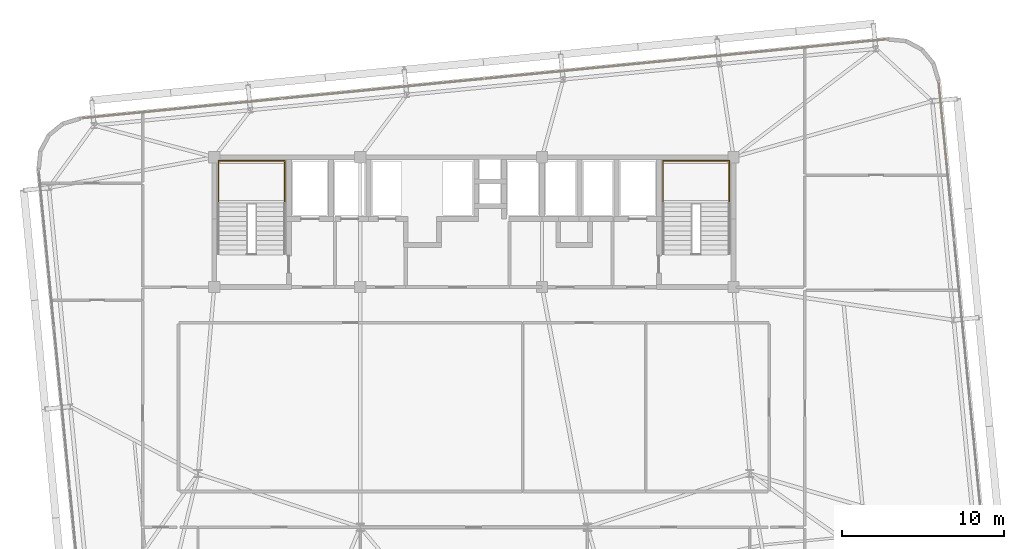
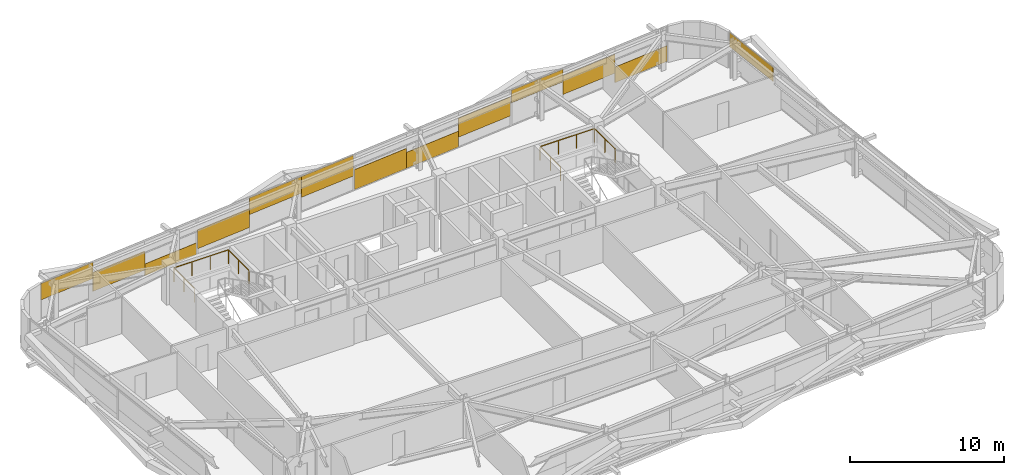
# One storey, part 47 of 47: 13 coverings, 2 railings.
"""IFC4 building model written with IfcOpenShell, lengths in metres."""

from ifc_helpers import new_model, si_unit, direction, frame, origin, origin_2d, place, context, subcontext, project, spatial, rectangle, extrude, source, transform, mapped, material, layer, layer_set, type_object, element, save


model = new_model("IFC4")

# Units and contexts
model_context = context("Model", 3, precision=1e-05, world=origin(), true_north=direction((0.0, 1.0)))
body_context = subcontext(model_context, "Body", "Model", "MODEL_VIEW")
ifc_project = project(units=[si_unit("LENGTHUNIT", "METRE"), si_unit("AREAUNIT", "SQUARE_METRE"), si_unit("VOLUMEUNIT", "CUBIC_METRE"), si_unit("PLANEANGLEUNIT", "RADIAN"), si_unit("MASSUNIT", "GRAM", prefix="KILO")], contexts=[model_context])

# Site, building, storey
site_placement = place(None, origin())
site = spatial("IfcSite", under=ifc_project, at=site_placement, CompositionType="ELEMENT")
building_placement = place(site_placement, origin())
building = spatial("IfcBuilding", under=site, at=building_placement, Name="Taldren Reach Tower", CompositionType="ELEMENT")
storey_placement = place(building_placement, frame((0.0, 0.0, 109.199951171875)))
storey = spatial("IfcBuildingStorey", under=building, at=storey_placement, Name="L33", CompositionType="ELEMENT", Elevation=109.199951171875)

# Railings
ifc_material_1 = material(Name="Steel Gr 350 (C350L0)", Category="steel")
ifc_layer_1 = layer(ifc_material_1, 0.050048828125)
ifc_layer_set_1 = layer_set([ifc_layer_1], Name="Steel Gr 350 (C350L0)")
railing_type = type_object("IfcRailingType", Name="RL-STAIR-GR", PredefinedType="GUARDRAIL", material=ifc_layer_set_1)
for number, where, name in (
    (1, (19.260009765625, 29.135009765625, 1.574951171875), "Stair half-landing perimeter guard ST1-L33"),
    (2, (46.659912109375, 29.135009765625, 1.574951171875), "Stair half-landing perimeter guard ST2-L33"),
):
    element("IfcRailing", number, at=place(storey_placement, frame(where)), inside=storey, type_object=railing_type, Name=name, PredefinedType="GUARDRAIL", context=body_context, shape_type="SweptSolid", body=[
        extrude(rectangle(XDim=0.047852, YDim=0.047852, at=origin_2d()), frame((0.0, 0.0, 1.09619140625), z_axis=(0.0, 1.0, 0.0), x_axis=(-1.0, 0.0, 0.0)), (0.0, 0.0, 1.0), 2.64501953125),
        extrude(rectangle(XDim=0.047852, YDim=0.047852, at=origin_2d()), frame((0.0, 2.64501953125, 1.09619140625), z_axis=(1.0, 0.0, 0.0), x_axis=(0.0, 1.0, 0.0)), (0.0, 0.0, 1.0), 4.080078125),
        extrude(rectangle(XDim=0.047852, YDim=0.047852, at=origin_2d()), frame((4.080078125, 2.64501953125, 1.09619140625), z_axis=(0.0, -1.0, 0.0), x_axis=(1.0, 0.0, 0.0)), (0.0, 0.0, 1.0), 2.64501953125),
        extrude(rectangle(XDim=0.041992, YDim=0.041992, at=origin_2d()), origin(), (0.0, 0.0, 1.0), 1.072021484375),
        extrude(rectangle(XDim=0.041992, YDim=0.041992, at=origin_2d()), frame((0.0, 1.322509765625, 0.0)), (0.0, 0.0, 1.0), 1.072021484375),
        extrude(rectangle(XDim=0.041992, YDim=0.041992, at=origin_2d()), frame((0.0, 2.64501953125, 0.0)), (0.0, 0.0, 1.0), 1.072021484375),
        extrude(rectangle(XDim=0.041992, YDim=0.041992, at=origin_2d()), frame((1.360107421875, 2.64501953125, 0.0)), (0.0, 0.0, 1.0), 1.072021484375),
        extrude(rectangle(XDim=0.041992, YDim=0.041992, at=origin_2d()), frame((2.719970703125, 2.64501953125, 0.0)), (0.0, 0.0, 1.0), 1.072021484375),
        extrude(rectangle(XDim=0.041992, YDim=0.041992, at=origin_2d()), frame((4.080078125, 2.64501953125, 0.0)), (0.0, 0.0, 1.0), 1.072021484375),
        extrude(rectangle(XDim=0.041992, YDim=0.041992, at=origin_2d()), frame((4.080078125, 1.322509765625, 0.0)), (0.0, 0.0, 1.0), 1.072021484375),
        extrude(rectangle(XDim=0.041992, YDim=0.041992, at=origin_2d()), frame((4.080078125, 0.0, 0.0)), (0.0, 0.0, 1.0), 1.072021484375),
    ])

# Coverings
ifc_material_2 = material(Name="Pale Champagne Fluoropolymer Aluminium Spandrel Cladding", Category="aluminium")
ifc_layer_2 = layer(ifc_material_2, 0.0439453125)
ifc_layer_set_2 = layer_set([ifc_layer_2], Name="Pale Champagne Fluoropolymer Aluminium Spandrel Cladding")
covering_type = type_object("IfcCoveringType", Name="CV-CLAD-044", PredefinedType="CLADDING", material=ifc_layer_set_2)
shared_shape_1 = source(origin(), body_context, "Body", "SweptSolid", [
    extrude(rectangle(XDim=4.13427734375, YDim=0.0439453125, at=origin_2d()), origin(), (0.0, 0.0, 1.0), 1.299072265625),
])
covering_1_placement = place(storey_placement, frame((12.872802734375, 34.594482421875, 1.51611328125), z_axis=(0.0, 0.0, 1.0), x_axis=(-0.995227390247, -0.097582999046, 0.0)))
element("IfcCovering", 3, at=covering_1_placement, inside=storey, type_object=covering_type, Name="Diagrid closure cladding strip CW-3 panel 4.1 3", PredefinedType="CLADDING", context=body_context, shape_type="MappedRepresentation", body=[
    mapped(shared_shape_1, transform((0.0, 0.0, 0.0), scale=1.0)),
])
shared_shape_2 = source(origin(), body_context, "Body", "SweptSolid", [
    extrude(rectangle(XDim=4.13427734375, YDim=0.0439453125, at=origin_2d()), origin(), (0.0, 0.0, 1.0), 1.495849609375),
])
for number, where, z_axis, x_axis, name in (
    (4, (54.27587890625, 38.654052734375, 0.810546875), (0.0, 0.0, 1.0), (-0.995227390247, -0.097582999046, 0.0), "Diagrid closure cladding strip CW-3 panel 1.1 2"),
    (5, (16.9873046875, 34.997802734375, 0.50390625), (0.0, 0.0, 1.0), (-0.995227390247, -0.097582999046, 0.0), "Diagrid closure cladding strip CW-3 panel 4.1 2"),
):
    element("IfcCovering", number, at=place(storey_placement, frame(where, z_axis=z_axis, x_axis=x_axis)), inside=storey, type_object=covering_type, Name=name, PredefinedType="CLADDING", context=body_context, shape_type="MappedRepresentation", body=[
        mapped(shared_shape_2, transform((0.0, 0.0, 0.0), scale=1.0)),
    ])
shared_shape_3 = source(origin(), body_context, "Body", "SweptSolid", [
    extrude(rectangle(XDim=4.13427734375, YDim=0.0439453125, at=origin_2d()), origin(), (0.0, 0.0, 1.0), 0.932373046875),
])
covering_2_placement = place(storey_placement, frame((21.1015625, 35.4013671875, 0.05517578125), z_axis=(0.0, 0.0, 1.0), x_axis=(-0.995227390247, -0.097582999046, 0.0)))
element("IfcCovering", 6, at=covering_2_placement, inside=storey, type_object=covering_type, Name="Diagrid closure cladding strip CW-3 panel 4.1 1", PredefinedType="CLADDING", context=body_context, shape_type="MappedRepresentation", body=[
    mapped(shared_shape_3, transform((0.0, 0.0, 0.0), scale=1.0)),
])
shared_shape_4 = source(origin(), body_context, "Body", "SweptSolid", [
    extrude(rectangle(XDim=4.14501953125, YDim=0.0439453125, at=origin_2d()), origin(), (0.0, 0.0, 1.0), 1.49853515625),
])
for number, where, z_axis, x_axis, name in (
    (7, (45.97705078125, 37.84033203125, 0.830810546875), (0.0, 0.0, 1.0), (-0.995227390247, -0.097582999046, 0.0), "Diagrid closure cladding strip CW-3 panel 2.1 1"),
    (8, (25.2861328125, 35.8115234375, 0.480712890625), (0.0, 0.0, 1.0), (-0.995227390247, -0.097582999046, 0.0), "Diagrid closure cladding strip CW-3 panel 3.1 3"),
):
    element("IfcCovering", number, at=place(storey_placement, frame(where, z_axis=z_axis, x_axis=x_axis)), inside=storey, type_object=covering_type, Name=name, PredefinedType="CLADDING", context=body_context, shape_type="MappedRepresentation", body=[
        mapped(shared_shape_4, transform((0.0, 0.0, 0.0), scale=1.0)),
    ])
shared_shape_5 = source(origin(), body_context, "Body", "SweptSolid", [
    extrude(rectangle(XDim=4.14501953125, YDim=0.0439453125, at=origin_2d()), origin(), (0.0, 0.0, 1.0), 1.3193359375),
])
covering_3_placement = place(storey_placement, frame((29.411376953125, 36.216064453125, 1.49560546875), z_axis=(0.0, 0.0, 1.0), x_axis=(-0.995227390247, -0.097582999046, 0.0)))
element("IfcCovering", 9, at=covering_3_placement, inside=storey, type_object=covering_type, Name="Diagrid closure cladding strip CW-3 panel 3.1 2", PredefinedType="CLADDING", context=body_context, shape_type="MappedRepresentation", body=[
    mapped(shared_shape_5, transform((0.0, 0.0, 0.0), scale=1.0)),
])
shared_shape_6 = source(origin(), body_context, "Body", "SweptSolid", [
    extrude(rectangle(XDim=4.14501953125, YDim=0.0439453125, at=origin_2d()), origin(), (0.0, 0.0, 1.0), 1.643798828125),
])
covering_4_placement = place(storey_placement, frame((33.53662109375, 36.62060546875, 1.17138671875), z_axis=(0.0, 0.0, 1.0), x_axis=(-0.995227390247, -0.097582999046, 0.0)))
element("IfcCovering", 10, at=covering_4_placement, inside=storey, type_object=covering_type, Name="Diagrid closure cladding strip CW-3 panel 3.1 1", PredefinedType="CLADDING", context=body_context, shape_type="MappedRepresentation", body=[
    mapped(shared_shape_6, transform((0.0, 0.0, 0.0), scale=1.0)),
])
shared_shape_7 = source(origin(), body_context, "Body", "SweptSolid", [
    extrude(rectangle(XDim=4.14501953125, YDim=0.0439453125, at=origin_2d()), origin(), (0.0, 0.0, 1.0), 1.583740234375),
])
covering_5_placement = place(storey_placement, frame((37.7265625, 37.03125, 0.05517578125), z_axis=(0.0, 0.0, 1.0), x_axis=(-0.995227390247, -0.097582999046, 0.0)))
element("IfcCovering", 11, at=covering_5_placement, inside=storey, type_object=covering_type, Name="Diagrid closure cladding strip CW-3 panel 2.1 3", PredefinedType="CLADDING", context=body_context, shape_type="MappedRepresentation", body=[
    mapped(shared_shape_7, transform((0.0, 0.0, 0.0), scale=1.0)),
])
shared_shape_8 = source(origin(), body_context, "Body", "SweptSolid", [
    extrude(rectangle(XDim=4.14501953125, YDim=0.0439453125, at=origin_2d()), origin(), (0.0, 0.0, 1.0), 1.259521484375),
])
covering_6_placement = place(storey_placement, frame((41.851806640625, 37.435791015625, 0.05517578125), z_axis=(0.0, 0.0, 1.0), x_axis=(-0.995227390247, -0.097582999046, 0.0)))
element("IfcCovering", 12, at=covering_6_placement, inside=storey, type_object=covering_type, Name="Diagrid closure cladding strip CW-3 panel 2.1 2", PredefinedType="CLADDING", context=body_context, shape_type="MappedRepresentation", body=[
    mapped(shared_shape_8, transform((0.0, 0.0, 0.0), scale=1.0)),
])
shared_shape_9 = source(origin(), body_context, "Body", "SweptSolid", [
    extrude(rectangle(XDim=4.13427734375, YDim=0.0439453125, at=origin_2d()), origin(), (0.0, 0.0, 1.0), 0.992431640625),
])
covering_7_placement = place(storey_placement, frame((50.161376953125, 38.250732421875, 1.82275390625), z_axis=(0.0, 0.0, 1.0), x_axis=(-0.995227390247, -0.097582999046, 0.0)))
element("IfcCovering", 13, at=covering_7_placement, inside=storey, type_object=covering_type, Name="Diagrid closure cladding strip CW-3 panel 1.1 3", PredefinedType="CLADDING", context=body_context, shape_type="MappedRepresentation", body=[
    mapped(shared_shape_9, transform((0.0, 0.0, 0.0), scale=1.0)),
])
shared_shape_10 = source(origin(), body_context, "Body", "SweptSolid", [
    extrude(rectangle(XDim=4.13427734375, YDim=0.0439453125, at=origin_2d()), origin(), (0.0, 0.0, 1.0), 1.239013671875),
])
covering_8_placement = place(storey_placement, frame((58.390380859375, 39.057373046875, 0.05517578125), z_axis=(0.0, 0.0, 1.0), x_axis=(-0.995227390247, -0.097582999046, 0.0)))
element("IfcCovering", 14, at=covering_8_placement, inside=storey, type_object=covering_type, Name="Diagrid closure cladding strip CW-3 panel 1.1 1", PredefinedType="CLADDING", context=body_context, shape_type="MappedRepresentation", body=[
    mapped(shared_shape_10, transform((0.0, 0.0, 0.0), scale=1.0)),
])
shared_shape_11 = source(origin(), body_context, "Body", "SweptSolid", [
    extrude(rectangle(XDim=4.867919921875, YDim=0.0439453125, at=origin_2d()), origin(), (0.0, 0.0, 1.0), 1.116455078125),
])
covering_9_placement = place(storey_placement, frame((63.881591796875, 34.211181640625, 1.69873046875), z_axis=(0.0, 0.0, 1.0), x_axis=(-0.09758274098, 0.99522741555, 0.0)))
element("IfcCovering", 15, at=covering_9_placement, inside=storey, type_object=covering_type, Name="Diagrid closure cladding strip CW-3 panel 3.1 2", PredefinedType="CLADDING", context=body_context, shape_type="MappedRepresentation", body=[
    mapped(shared_shape_11, transform((0.0, 0.0, 0.0), scale=1.0)),
])

save(model, "model.ifc")
